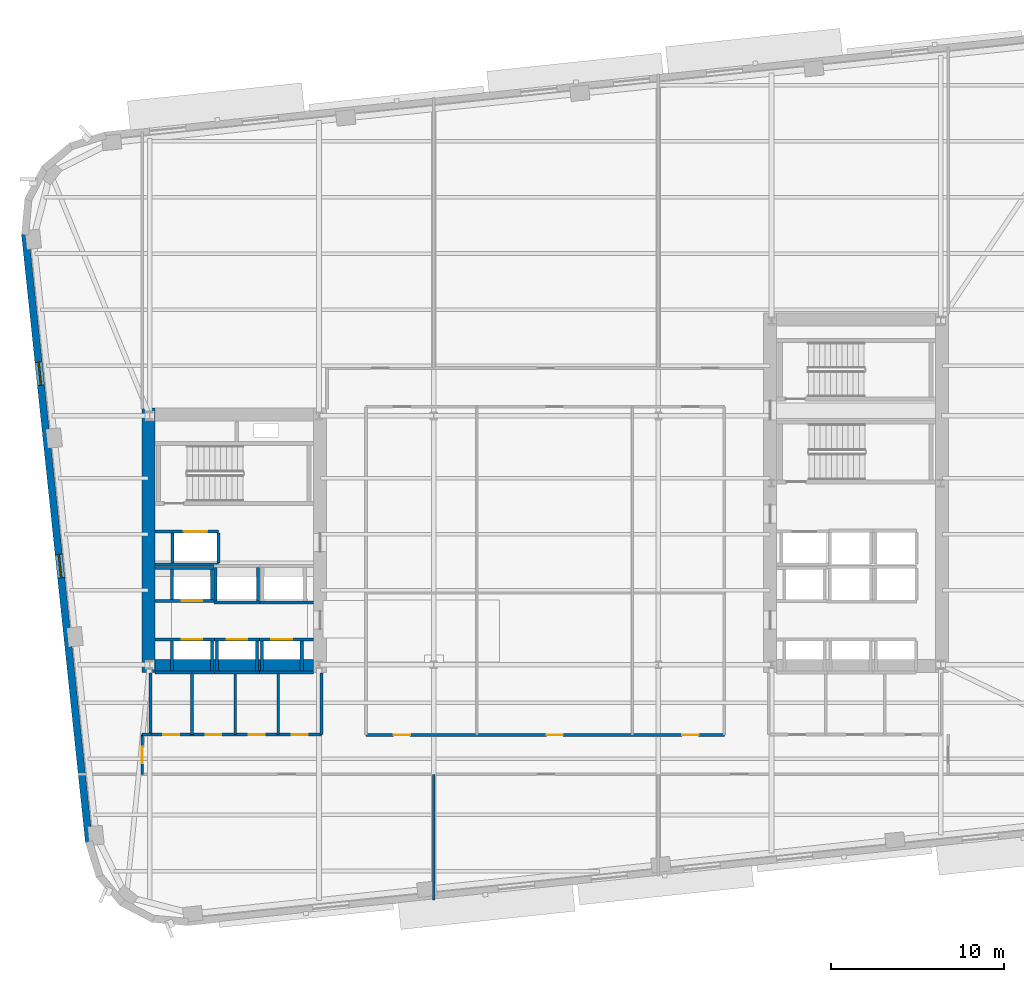
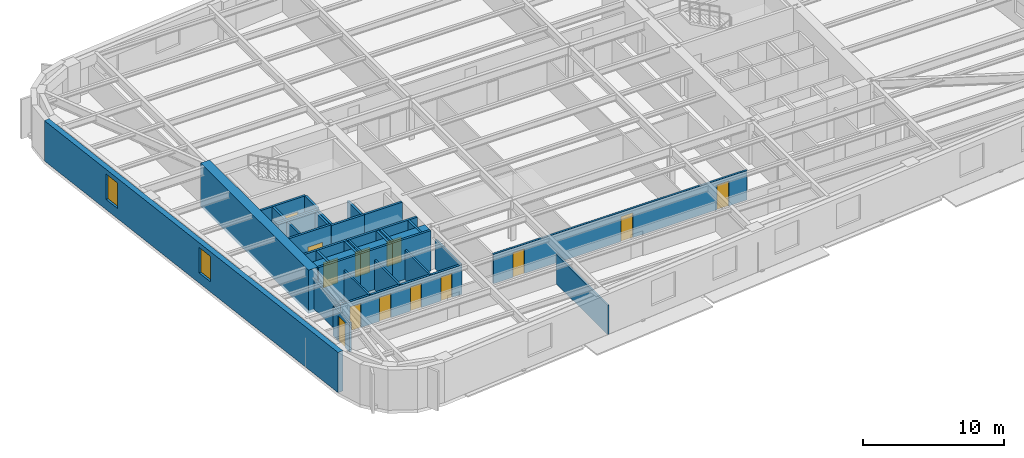
# One storey, part 4 of 14: 37 walls, 13 doors, 2 windows, 15 openings.
"""IFC4 building model written with IfcOpenShell, lengths in metres."""

import ifcopenshell
import ifcopenshell.guid

model = None  # the IFC model being written
_history = None  # IfcOwnerHistory: only IFC2X3 demands one
_inside = {}  # id of a spatial element -> (the spatial element, [elements in it])
_under = {}  # id of a project, library or spatial element -> (it, [spatial elements below it])
_declared = {}  # id of a project -> (the project, [libraries it declares])
_typed = {}  # id of a type object -> (the type object, [elements of that type])
_made_of = {}  # id of a material, layer set ... -> (it, [elements and type objects made of it])


def new_model(schema):
    """Start an empty IFC model of exactly this schema.

    Asked for "IFC4X3", IfcOpenShell would pick the latest addendum, in which some entities
    have other attributes; the version numbers below select the first issue.
    IFC2X3 requires an IfcOwnerHistory on every rooted entity: one is made here for all.
    """
    global model, _history
    if schema == "IFC4X3":
        model = ifcopenshell.file(schema_version=(4, 3, 0, 0))
    else:
        model = ifcopenshell.file(schema=schema)
    _inside.clear()
    _under.clear()
    _declared.clear()
    _typed.clear()
    _made_of.clear()
    _history = None
    if model.schema == "IFC2X3":
        org = make("IfcOrganization", Name="unknown")
        user = make(
            "IfcPersonAndOrganization",
            ThePerson=make("IfcPerson", FamilyName="unknown"),
            TheOrganization=org,
        )
        app = make(
            "IfcApplication",
            ApplicationDeveloper=org,
            Version="unknown",
            ApplicationFullName="unknown",
            ApplicationIdentifier="unknown",
        )
        _history = make(
            "IfcOwnerHistory",
            OwningUser=user,
            OwningApplication=app,
            ChangeAction="ADDED",
            CreationDate=0,
        )
    return model


def make(cls, **values):
    """One entity of the class cls with the attributes given. An attribute that is None is left unset."""
    return model.create_entity(
        cls, **{name: value for name, value in values.items() if value is not None}
    )


def rooted(cls, **values):
    """An entity with a GlobalId (a new one), such as an element, a storey or a relation."""
    return make(cls, GlobalId=ifcopenshell.guid.new(), OwnerHistory=_history, **values)


def si_unit(unit_type, name, prefix=None):
    """IfcSIUnit, for example si_unit("LENGTHUNIT", "METRE", prefix="MILLI")."""
    return make("IfcSIUnit", UnitType=unit_type, Prefix=prefix, Name=name)


def assignment(units):
    """IfcUnitAssignment: the units of a project."""
    return None if units is None else make("IfcUnitAssignment", Units=units)


def point(xyz):
    """IfcCartesianPoint."""
    return None if xyz is None else make("IfcCartesianPoint", Coordinates=xyz)


def direction(xyz):
    """IfcDirection."""
    return None if xyz is None else make("IfcDirection", DirectionRatios=xyz)


def frame(location, z_axis=None, x_axis=None):
    """IfcAxis2Placement3D, a coordinate frame: its origin and axes. An axis left out is left unset."""
    return make(
        "IfcAxis2Placement3D",
        Location=point(location),
        Axis=direction(z_axis),
        RefDirection=direction(x_axis),
    )


def frame_2d(location, x_axis=None):
    """IfcAxis2Placement2D, a coordinate frame in the plane: its origin and x axis."""
    return make(
        "IfcAxis2Placement2D", Location=point(location), RefDirection=direction(x_axis)
    )


def origin():
    """The frame at (0, 0, 0) with its axes left unset."""
    return frame((0.0, 0.0, 0.0))


def place(relative_to, where):
    """IfcLocalPlacement: puts the frame where relative to a parent placement (None: the world)."""
    return make(
        "IfcLocalPlacement", PlacementRelTo=relative_to, RelativePlacement=where
    )


def context(
    kind, dimensions, precision=None, world=None, true_north=None, identifier=None
):
    """IfcGeometricRepresentationContext, for example the 3D "Model" context."""
    return make(
        "IfcGeometricRepresentationContext",
        ContextIdentifier=identifier,
        ContextType=kind,
        CoordinateSpaceDimension=dimensions,
        Precision=precision,
        WorldCoordinateSystem=world,
        TrueNorth=true_north,
    )


def subcontext(parent, identifier, kind, view, scale=None):
    """IfcGeometricRepresentationSubContext, for example "Body" below "Model"."""
    return make(
        "IfcGeometricRepresentationSubContext",
        ContextIdentifier=identifier,
        ContextType=kind,
        ParentContext=parent,
        TargetScale=scale,
        TargetView=view,
    )


def project(units=None, contexts=None):
    """IfcProject with its units and contexts."""
    return rooted(
        "IfcProject",
        Name="project",
        RepresentationContexts=contexts,
        UnitsInContext=assignment(units),
    )


def spatial(cls, under=None, at=None, **own):
    """A site, building, storey or space (cls), placed at a placement, below another one or the project."""
    s = rooted(cls, ObjectPlacement=at, **own)
    if under is not None:
        _under.setdefault(under.id(), (under, []))[1].append(s)
    return s


def profile(cls, at=None, kind="AREA", **sizes):
    """A parametric profile (cls). Its sizes go by their IFC names, for example OverallWidth=200.0."""
    return make(cls, ProfileType=kind, Position=at, **sizes)


def rectangle(**sizes):
    """IfcRectangleProfileDef."""
    return profile("IfcRectangleProfileDef", **sizes)


def extrude(swept, where, along, depth):
    """IfcExtrudedAreaSolid: the profile swept, set in the frame where, extruded along a direction by depth."""
    return make(
        "IfcExtrudedAreaSolid",
        SweptArea=swept,
        Position=where,
        ExtrudedDirection=direction(along),
        Depth=depth,
    )


def shape(context_of_items, identifier, shape_type, items):
    """IfcShapeRepresentation: the items that make up one representation, for example the "Body"."""
    return make(
        "IfcShapeRepresentation",
        ContextOfItems=context_of_items,
        RepresentationIdentifier=identifier,
        RepresentationType=shape_type,
        Items=items,
    )


def material(Name=None, Category=None):
    """IfcMaterial."""
    return make("IfcMaterial", Name=Name, Category=Category)


def layer(
    of_material, thickness, ventilated=None, Name=None, Category=None, Priority=None
):
    """IfcMaterialLayer: one layer of a wall or slab, of a material (None: an air gap)."""
    return make(
        "IfcMaterialLayer",
        Material=of_material,
        LayerThickness=thickness,
        IsVentilated=ventilated,
        Name=Name,
        Category=Category,
        Priority=Priority,
    )


def layer_set(layers, Name=None):
    """IfcMaterialLayerSet."""
    return make("IfcMaterialLayerSet", MaterialLayers=layers, LayerSetName=Name)


def made_of(thing, what):
    """Note that an element or type object is made of a material, layer set ...; save() writes the relation."""
    if what is not None:
        _made_of.setdefault(what.id(), (what, []))[1].append(thing)
    return thing


def type_object(cls, material=None, **own):
    """A type object (cls), such as IfcWallType, which elements share."""
    return made_of(rooted(cls, **own), material)


def element(
    cls,
    number,
    at=None,
    inside=None,
    cuts=None,
    type_object=None,
    material=None,
    context=None,
    identifier="Body",
    shape_type=None,
    held_by="IfcProductDefinitionShape",
    body=None,
    shapes=None,
    **own,
):
    """One element of the class cls, such as IfcWall. Its Tag is "e" and its number.

    at: its placement. inside: the storey or other place that contains it. cuts: it is an
    opening in that element (IfcRelVoidsElement). A single representation is given by context,
    identifier, shape_type and body (its items); several are given by shapes. held_by: the class
    of the entity that holds the representations. save() writes the other relations.
    """
    e = rooted(cls, Tag="e%d" % number, ObjectPlacement=at, **own)
    if body is not None:
        shapes = [shape(context, identifier, shape_type, body)]
    if shapes is not None:
        e.Representation = make(held_by, Representations=shapes)
    if inside is not None:
        _inside.setdefault(inside.id(), (inside, []))[1].append(e)
    if cuts is not None:
        rooted(
            "IfcRelVoidsElement", RelatingBuildingElement=cuts, RelatedOpeningElement=e
        )
    if type_object is not None:
        _typed.setdefault(type_object.id(), (type_object, []))[1].append(e)
    return made_of(e, material)


def fill(opening, filler):
    """IfcRelFillsElement: the door or window that sits in an opening."""
    return rooted(
        "IfcRelFillsElement",
        RelatingOpeningElement=opening,
        RelatedBuildingElement=filler,
    )


def aggregate(whole, parts):
    """IfcRelAggregates: a whole, such as a stair, and the parts it consists of."""
    return rooted("IfcRelAggregates", RelatingObject=whole, RelatedObjects=parts)


def save(model, path):
    """Write the relations noted so far, then the file.

    IfcRelAggregates (storeys below a building ...), IfcRelContainedInSpatialStructure (elements
    in a storey), IfcRelDefinesByType, IfcRelAssociatesMaterial and IfcRelDeclares: one each for
    every whole, place, type object, material and project.
    """
    for whole, parts in _under.values():
        aggregate(whole, parts)
    for where, things in _inside.values():
        rooted(
            "IfcRelContainedInSpatialStructure",
            RelatedElements=things,
            RelatingStructure=where,
        )
    for kind, things in _typed.values():
        rooted("IfcRelDefinesByType", RelatedObjects=things, RelatingType=kind)
    for what, things in _made_of.values():
        rooted("IfcRelAssociatesMaterial", RelatedObjects=things, RelatingMaterial=what)
    for by, libraries in _declared.values():
        rooted("IfcRelDeclares", RelatingContext=by, RelatedDefinitions=libraries)
    model.write(path)


model = new_model("IFC4")

# Units and contexts
model_context = context("Model", 3, precision=1e-05, world=origin(), true_north=direction((0.0, 1.0)))
body_context = subcontext(model_context, "Body", "Model", "MODEL_VIEW")
ifc_project = project(units=[si_unit("LENGTHUNIT", "METRE"), si_unit("AREAUNIT", "SQUARE_METRE"), si_unit("VOLUMEUNIT", "CUBIC_METRE"), si_unit("PLANEANGLEUNIT", "RADIAN"), si_unit("MASSUNIT", "GRAM", prefix="KILO")], contexts=[model_context])

# Site, building, storey
site_placement = place(None, origin())
site = spatial("IfcSite", under=ifc_project, at=site_placement, CompositionType="ELEMENT")
building_placement = place(site_placement, origin())
building = spatial("IfcBuilding", under=site, at=building_placement, Name="Kolvaren Arena Tower", CompositionType="ELEMENT")
storey_placement = place(building_placement, frame((0.0, 0.0, 130.75)))
storey = spatial("IfcBuildingStorey", under=building, at=storey_placement, Name="L30", CompositionType="ELEMENT", Elevation=130.75)

# Wall, openings, doors
ifc_material_1 = material(Name="Gypsum board acoustic assembly", Category="gypsum")
ifc_layer_1 = layer(ifc_material_1, 0.159912109375)
ifc_layer_set_1 = layer_set([ifc_layer_1], Name="Gypsum board acoustic assembly")
wall_type_1 = type_object("IfcWallType", Name="CORR-160", PredefinedType="PARTITIONING", material=ifc_layer_set_1)
wall_1_placement = place(storey_placement, frame((27.080078125, 15.3798828125, 0.0), z_axis=(0.0, 0.0, 1.0), x_axis=(1.0, 0.0, 0.0)))
wall_1 = element("IfcWall", 1, at=wall_1_placement, inside=storey, type_object=wall_type_1, Name="Interior Partition Wall (L30)", PredefinedType="PARTITIONING", context=body_context, shape_type="SweptSolid", body=[
    extrude(rectangle(XDim=20.739990234375, YDim=0.159912109375, at=frame_2d((10.3701171875, 0.0))), origin(), (0.0, 0.0, 1.0), 2.5400390625),
])
opening_1_placement = place(wall_1_placement, frame((1.594970703125, 0.0, 0.0)))
opening_1 = element("IfcOpeningElement", 2, at=opening_1_placement, cuts=wall_1, Name="Opening D05", PredefinedType="OPENING", context=body_context, shape_type="SweptSolid", body=[
    extrude(rectangle(XDim=0.949951171875, YDim=2.14990234375, at=frame_2d((0.47509765625, 1.074951171875))), frame((0.0, 0.08984375, 0.0), z_axis=(0.0, -1.0, 0.0), x_axis=(1.0, 0.0, 0.0)), (0.0, 0.0, 1.0), 0.179931640625),
])
opening_2_placement = place(wall_1_placement, frame((10.445068359375, 0.0, 0.0)))
opening_2 = element("IfcOpeningElement", 3, at=opening_2_placement, cuts=wall_1, Name="Opening D05", PredefinedType="OPENING", context=body_context, shape_type="SweptSolid", body=[
    extrude(rectangle(XDim=0.949951171875, YDim=2.14990234375, at=frame_2d((0.47509765625, 1.074951171875))), frame((0.0, 0.08984375, 0.0), z_axis=(0.0, -1.0, 0.0), x_axis=(1.0, 0.0, 0.0)), (0.0, 0.0, 1.0), 0.179931640625),
])
opening_3_placement = place(wall_1_placement, frame((18.294921875, 0.0, 0.0)))
opening_3 = element("IfcOpeningElement", 4, at=opening_3_placement, cuts=wall_1, Name="Opening D05", PredefinedType="OPENING", context=body_context, shape_type="SweptSolid", body=[
    extrude(rectangle(XDim=0.949951171875, YDim=2.14990234375, at=frame_2d((0.47509765625, 1.074951171875))), frame((0.0, 0.08984375, 0.0), z_axis=(0.0, -1.0, 0.0), x_axis=(1.0, 0.0, 0.0)), (0.0, 0.0, 1.0), 0.179931640625),
])
ifc_material_2 = material(Name="Solid-core oak acoustic office door", Category="wood")
door_type_1 = type_object("IfcDoorType", Name="DOOR-OF-095", OperationType="NOTDEFINED", PredefinedType="DOOR", material=ifc_material_2)
door_1_placement = place(opening_1_placement, origin())
door_1 = element("IfcDoor", 5, at=door_1_placement, inside=storey, type_object=door_type_1, Name="Client Lounge Door (L30)", OperationType="SINGLE_SWING_LEFT", OverallHeight=2.14990234375, OverallWidth=0.949951171875, PredefinedType="DOOR", context=body_context, shape_type="SweptSolid", body=[
    extrude(rectangle(XDim=0.949951171875, YDim=2.14990234375, at=frame_2d((0.47509765625, 1.074951171875))), frame((0.0, 0.02490234375, 0.0), z_axis=(0.0, -1.0, 0.0), x_axis=(1.0, 0.0, 0.0)), (0.0, 0.0, 1.0), 0.050048828125),
])
fill(opening_1, door_1)
door_2_placement = place(opening_2_placement, origin())
door_2 = element("IfcDoor", 6, at=door_2_placement, inside=storey, type_object=door_type_1, Name="Open Plan Office Door (L30)", OperationType="SINGLE_SWING_LEFT", OverallHeight=2.14990234375, OverallWidth=0.949951171875, PredefinedType="DOOR", context=body_context, shape_type="SweptSolid", body=[
    extrude(rectangle(XDim=0.949951171875, YDim=2.14990234375, at=frame_2d((0.47509765625, 1.074951171875))), frame((0.0, 0.02490234375, 0.0), z_axis=(0.0, -1.0, 0.0), x_axis=(1.0, 0.0, 0.0)), (0.0, 0.0, 1.0), 0.050048828125),
])
fill(opening_2, door_2)
door_3_placement = place(opening_3_placement, origin())
door_3 = element("IfcDoor", 7, at=door_3_placement, inside=storey, type_object=door_type_1, Name="Breakout Pantry and Kitchen Door (L30)", OperationType="SINGLE_SWING_LEFT", OverallHeight=2.14990234375, OverallWidth=0.949951171875, PredefinedType="DOOR", context=body_context, shape_type="SweptSolid", body=[
    extrude(rectangle(XDim=0.949951171875, YDim=2.14990234375, at=frame_2d((0.47509765625, 1.074951171875))), frame((0.0, 0.02490234375, 0.0), z_axis=(0.0, -1.0, 0.0), x_axis=(1.0, 0.0, 0.0)), (0.0, 0.0, 1.0), 0.050048828125),
])
fill(opening_3, door_3)

# Wall, opening, door
wall_2_placement = place(storey_placement, frame((14.1201171875, 13.10009765625, 0.0), z_axis=(0.0, 0.0, 1.0), x_axis=(0.0, 1.0, 0.0)))
wall_2 = element("IfcWall", 8, at=wall_2_placement, inside=storey, type_object=wall_type_1, Name="Interior Partition Wall (L30)", PredefinedType="PARTITIONING", context=body_context, shape_type="SweptSolid", body=[
    extrude(rectangle(XDim=2.2998046875, YDim=0.159912109375, at=frame_2d((1.14990234375, 0.0))), origin(), (0.0, 0.0, 1.0), 2.5400390625),
])
opening_4_placement = place(wall_2_placement, frame((0.64990234375, 0.0, 0.0)))
opening_4 = element("IfcOpeningElement", 9, at=opening_4_placement, cuts=wall_2, Name="Opening D05", PredefinedType="OPENING", context=body_context, shape_type="SweptSolid", body=[
    extrude(rectangle(XDim=0.949951171875, YDim=2.14990234375, at=frame_2d((0.47509765625, 1.074951171875))), frame((0.0, 0.08984375, 0.0), z_axis=(0.0, -1.0, 0.0), x_axis=(1.0, 0.0, 0.0)), (0.0, 0.0, 1.0), 0.179931640625),
])
door_4_placement = place(opening_4_placement, origin())
door_4 = element("IfcDoor", 10, at=door_4_placement, inside=storey, type_object=door_type_1, Name="West Wing Office Door (L30)", OperationType="SINGLE_SWING_LEFT", OverallHeight=2.14990234375, OverallWidth=0.949951171875, PredefinedType="DOOR", context=body_context, shape_type="SweptSolid", body=[
    extrude(rectangle(XDim=0.949951171875, YDim=2.14990234375, at=frame_2d((0.47509765625, 1.074951171875))), frame((0.0, 0.02490234375, 0.0), z_axis=(0.0, -1.0, 0.0), x_axis=(1.0, 0.0, 0.0)), (0.0, 0.0, 1.0), 0.050048828125),
])
fill(opening_4, door_4)

# Walls
wall_3_placement = place(storey_placement, frame((14.1201171875, 15.39990234375, 0.0), z_axis=(0.0, 0.0, 1.0), x_axis=(1.0, 0.0, 0.0)))
element("IfcWall", 11, at=wall_3_placement, inside=storey, type_object=wall_type_1, Name="Interior Partition Wall (L30)", PredefinedType="PARTITIONING", context=body_context, shape_type="SweptSolid", body=[
    extrude(rectangle(XDim=0.5, YDim=0.159912109375, at=frame_2d((0.25, 0.0))), origin(), (0.0, 0.0, 1.0), 2.5400390625),
])
ifc_material_3 = material(Name="Concrete 70 MPa", Category="concrete")
ifc_layer_2 = layer(ifc_material_3, 0.75)
ifc_layer_set_2 = layer_set([ifc_layer_2], Name="Concrete 70 MPa")
wall_type_2 = type_object("IfcWallType", Name="CWALL-750", PredefinedType="SHEAR", material=ifc_layer_set_2)
wall_4_placement = place(storey_placement, frame((14.47509765625, 19.0, -0.27001953125), z_axis=(0.0, 0.0, 1.0), x_axis=(0.0, 1.0, 0.0)))
element("IfcWall", 12, at=wall_4_placement, inside=storey, type_object=wall_type_2, Name="Core Shear Wall WC-WEST (L30)", PredefinedType="SHEAR", context=body_context, shape_type="SweptSolid", body=[
    extrude(rectangle(XDim=15.300048828125, YDim=0.75, at=frame_2d((7.64990234375, 0.0))), origin(), (0.0, 0.0, 1.0), 3.75),
])
wall_5_placement = place(storey_placement, frame((14.85009765625, 19.375, -0.27001953125), z_axis=(0.0, 0.0, 1.0), x_axis=(1.0, 0.0, 0.0)))
element("IfcWall", 13, at=wall_5_placement, inside=storey, type_object=wall_type_2, Name="Core Shear Wall WC-SOUTH (L30)", PredefinedType="SHEAR", context=body_context, shape_type="SweptSolid", body=[
    extrude(rectangle(XDim=9.199951171875, YDim=0.75, at=frame_2d((4.60009765625, 0.0))), origin(), (0.0, 0.0, 1.0), 3.75),
])

# Wall, openings, windows
ifc_material_4 = material(Name="Precast concrete C50/60", Category="concrete")
ifc_layer_3 = layer(ifc_material_4, 0.419921875)
ifc_layer_set_3 = layer_set([ifc_layer_3], Name="Precast concrete C50/60")
wall_type_3 = type_object("IfcWallType", Name="EXT-PIER1", PredefinedType="SOLIDWALL", material=ifc_layer_set_3)
wall_6_placement = place(storey_placement, frame((11.039794921875, 9.16943359375, 0.0), z_axis=(0.0, 0.0, 1.0), x_axis=(-0.104532207177, 0.99452150186, 0.0)))
wall_6 = element("IfcWall", 14, at=wall_6_placement, inside=storey, type_object=wall_type_3, Name="Exterior Precast Masonry-Frame Wall (L30)", PredefinedType="SOLIDWALL", context=body_context, shape_type="SweptSolid", body=[
    extrude(rectangle(XDim=35.39990234375, YDim=0.419921875, at=frame_2d((17.699951171875, 0.0))), origin(), (0.0, 0.0, 1.0), 3.47998046875),
])
opening_5_placement = place(wall_6_placement, frame((15.39990234375, 0.0, 0.8798828125)))
opening_5 = element("IfcOpeningElement", 15, at=opening_5_placement, cuts=wall_6, Name="Opening W04", PredefinedType="OPENING", context=body_context, shape_type="SweptSolid", body=[
    extrude(rectangle(XDim=1.35009765625, YDim=2.199951171875, at=frame_2d((0.675048828125, 1.10009765625))), frame((0.0, 0.219970703125, 0.0), z_axis=(0.0, -1.0, 0.0), x_axis=(1.0, 0.0, 0.0)), (0.0, 0.0, 1.0), 0.43994140625),
])
opening_6_placement = place(wall_6_placement, frame((26.60009765625, 0.0, 0.8798828125)))
opening_6 = element("IfcOpeningElement", 16, at=opening_6_placement, cuts=wall_6, Name="Opening W04", PredefinedType="OPENING", context=body_context, shape_type="SweptSolid", body=[
    extrude(rectangle(XDim=1.35009765625, YDim=2.199951171875, at=frame_2d((0.675048828125, 1.10009765625))), frame((0.0, 0.219970703125, 0.0), z_axis=(0.0, -1.0, 0.0), x_axis=(1.0, 0.0, 0.0)), (0.0, 0.0, 1.0), 0.43994140625),
])
ifc_material_5 = material(Name="Triple-glazed curved-facet corner window", Category="glass")
window_type = type_object("IfcWindowType", Name="WIN-CRN-A", PartitioningType="SINGLE_PANEL", PredefinedType="WINDOW", material=ifc_material_5)
window_1_placement = place(opening_5_placement, origin())
window_1 = element("IfcWindow", 17, at=window_1_placement, inside=storey, type_object=window_type, Name="End-Wall Punched Window (L30)", OverallHeight=2.199951171875, OverallWidth=1.35009765625, PartitioningType="SINGLE_PANEL", PredefinedType="WINDOW", context=body_context, shape_type="SweptSolid", body=[
    extrude(rectangle(XDim=1.35009765625, YDim=2.199951171875, at=frame_2d((0.675048828125, 1.10009765625))), frame((0.0, 0.030029296875, 0.0), z_axis=(0.0, -1.0, 0.0), x_axis=(1.0, 0.0, 0.0)), (0.0, 0.0, 1.0), 0.06005859375),
])
fill(opening_5, window_1)
window_2_placement = place(opening_6_placement, origin())
window_2 = element("IfcWindow", 18, at=window_2_placement, inside=storey, type_object=window_type, Name="End-Wall Punched Window (L30)", OverallHeight=2.199951171875, OverallWidth=1.35009765625, PartitioningType="SINGLE_PANEL", PredefinedType="WINDOW", context=body_context, shape_type="SweptSolid", body=[
    extrude(rectangle(XDim=1.35009765625, YDim=2.199951171875, at=frame_2d((0.675048828125, 1.10009765625))), frame((0.0, 0.030029296875, 0.0), z_axis=(0.0, -1.0, 0.0), x_axis=(1.0, 0.0, 0.0)), (0.0, 0.0, 1.0), 0.06005859375),
])
fill(opening_6, window_2)

# Wall
ifc_material_6 = material(Name="Gypsum board partition assembly", Category="gypsum")
ifc_layer_4 = layer(ifc_material_6, 0.135009765625)
ifc_layer_set_4 = layer_set([ifc_layer_4], Name="Gypsum board partition assembly")
wall_type_4 = type_object("IfcWallType", Name="PART-135", PredefinedType="PARTITIONING", material=ifc_layer_set_4)
wall_7_placement = place(storey_placement, frame((31.0, 5.837646484375, 0.0), z_axis=(0.0, 0.0, 1.0), x_axis=(0.0, 1.0, 0.0)))
element("IfcWall", 19, at=wall_7_placement, inside=storey, type_object=wall_type_4, Name="Interior Partition Wall (L30)", PredefinedType="PARTITIONING", context=body_context, shape_type="SweptSolid", body=[
    extrude(rectangle(XDim=7.262451171875, YDim=0.135009765625, at=frame_2d((3.63134765625, 0.0))), origin(), (0.0, 0.0, 1.0), 2.5400390625),
])

# Wall, opening, door
ifc_material_7 = material(Name="Concrete 45 MPa", Category="concrete")
ifc_layer_5 = layer(ifc_material_7, 0.25)
ifc_layer_set_5 = layer_set([ifc_layer_5], Name="Concrete 45 MPa")
wall_type_5 = type_object("IfcWallType", Name="SHAFT-250", PredefinedType="SOLIDWALL", material=ifc_layer_set_5)
wall_8_placement = place(storey_placement, frame((14.85009765625, 20.905029296875, 0.0), z_axis=(0.0, 0.0, 1.0), x_axis=(1.0, 0.0, 0.0)))
wall_8 = element("IfcWall", 20, at=wall_8_placement, inside=storey, type_object=wall_type_5, Name="Core Shaft Wall (L30)", PredefinedType="SOLIDWALL", context=body_context, shape_type="SweptSolid", body=[
    extrude(rectangle(XDim=3.449951171875, YDim=0.179931640625, at=frame_2d((1.72509765625, 0.0))), origin(), (0.0, 0.0, 1.0), 3.47998046875),
])
opening_7_placement = place(wall_8_placement, frame((1.550048828125, 0.0, 0.0)))
opening_7 = element("IfcOpeningElement", 21, at=opening_7_placement, cuts=wall_8, Name="Opening LD1", PredefinedType="OPENING", context=body_context, shape_type="SweptSolid", body=[
    extrude(rectangle(XDim=1.199951171875, YDim=2.199951171875, at=frame_2d((0.60009765625, 1.10009765625))), frame((0.0, 0.099853515625, 0.0), z_axis=(0.0, -1.0, 0.0), x_axis=(1.0, 0.0, 0.0)), (0.0, 0.0, 1.0), 0.199951171875),
])
ifc_material_8 = material(Name="Stainless steel passenger lift landing door", Category="steel")
door_type_2 = type_object("IfcDoorType", Name="DOOR-LD-120", OperationType="DOUBLE_DOOR_SLIDING", PredefinedType="DOOR", material=ifc_material_8)
door_5_placement = place(opening_7_placement, origin())
door_5 = element("IfcDoor", 22, at=door_5_placement, inside=storey, type_object=door_type_2, Name="Lift EL-MR1 Landing Door (L30)", OperationType="DOUBLE_DOOR_SLIDING", OverallHeight=2.199951171875, OverallWidth=1.199951171875, PredefinedType="DOOR", context=body_context, shape_type="SweptSolid", body=[
    extrude(rectangle(XDim=1.199951171875, YDim=2.199951171875, at=frame_2d((0.60009765625, 1.10009765625))), frame((0.0, 0.02490234375, 0.0), z_axis=(0.0, -1.0, 0.0), x_axis=(1.0, 0.0, 0.0)), (0.0, 0.0, 1.0), 0.050048828125),
])
fill(opening_7, door_5)

# Walls
wall_9_placement = place(storey_placement, frame((14.85009765625, 18.9951171875, 0.0), z_axis=(0.0, 0.0, 1.0), x_axis=(1.0, 0.0, 0.0)))
element("IfcWall", 23, at=wall_9_placement, inside=storey, type_object=wall_type_5, Name="Core Shaft Wall (L30)", PredefinedType="SOLIDWALL", context=body_context, shape_type="SweptSolid", body=[
    extrude(rectangle(XDim=3.449951171875, YDim=0.179931640625, at=frame_2d((1.72509765625, 0.0))), origin(), (0.0, 0.0, 1.0), 3.47998046875),
])
for number, where, z_axis, x_axis, name in (
    (24, (15.844970703125, 19.0849609375, 0.0), (0.0, 0.0, 1.0), (0.0, 1.0, 0.0), "Core Shaft Wall (L30)"),
    (25, (18.155029296875, 19.0849609375, 0.0), (0.0, 0.0, 1.0), (0.0, 1.0, 0.0), "Core Shaft Wall (L30)"),
):
    element("IfcWall", number, at=place(storey_placement, frame(where, z_axis=z_axis, x_axis=x_axis)), inside=storey, type_object=wall_type_5, Name=name, PredefinedType="SOLIDWALL", context=body_context, shape_type="SweptSolid", body=[
        extrude(rectangle(XDim=1.72998046875, YDim=0.179931640625, at=frame_2d((0.864990234375, 0.0))), origin(), (0.0, 0.0, 1.0), 3.47998046875),
    ])

# Wall, opening, door
wall_10_placement = place(storey_placement, frame((18.300048828125, 20.905029296875, 0.0), z_axis=(0.0, 0.0, 1.0), x_axis=(1.0, 0.0, 0.0)))
wall_10 = element("IfcWall", 26, at=wall_10_placement, inside=storey, type_object=wall_type_5, Name="Core Shaft Wall (L30)", PredefinedType="SOLIDWALL", context=body_context, shape_type="SweptSolid", body=[
    extrude(rectangle(XDim=2.599853515625, YDim=0.179931640625, at=frame_2d((1.2998046875, 0.0))), origin(), (0.0, 0.0, 1.0), 3.47998046875),
])
opening_8_placement = place(wall_10_placement, frame((0.699951171875, 0.0, 0.0)))
opening_8 = element("IfcOpeningElement", 27, at=opening_8_placement, cuts=wall_10, Name="Opening LD1", PredefinedType="OPENING", context=body_context, shape_type="SweptSolid", body=[
    extrude(rectangle(XDim=1.199951171875, YDim=2.199951171875, at=frame_2d((0.60009765625, 1.10009765625))), frame((0.0, 0.099853515625, 0.0), z_axis=(0.0, -1.0, 0.0), x_axis=(1.0, 0.0, 0.0)), (0.0, 0.0, 1.0), 0.199951171875),
])
door_6_placement = place(opening_8_placement, origin())
door_6 = element("IfcDoor", 28, at=door_6_placement, inside=storey, type_object=door_type_2, Name="Lift EL-MR2 Landing Door (L30)", OperationType="DOUBLE_DOOR_SLIDING", OverallHeight=2.199951171875, OverallWidth=1.199951171875, PredefinedType="DOOR", context=body_context, shape_type="SweptSolid", body=[
    extrude(rectangle(XDim=1.199951171875, YDim=2.199951171875, at=frame_2d((0.60009765625, 1.10009765625))), frame((0.0, 0.02490234375, 0.0), z_axis=(0.0, -1.0, 0.0), x_axis=(1.0, 0.0, 0.0)), (0.0, 0.0, 1.0), 0.050048828125),
])
fill(opening_8, door_6)

# Walls
wall_11_placement = place(storey_placement, frame((18.300048828125, 18.9951171875, 0.0), z_axis=(0.0, 0.0, 1.0), x_axis=(1.0, 0.0, 0.0)))
element("IfcWall", 29, at=wall_11_placement, inside=storey, type_object=wall_type_5, Name="Core Shaft Wall (L30)", PredefinedType="SOLIDWALL", context=body_context, shape_type="SweptSolid", body=[
    extrude(rectangle(XDim=2.599853515625, YDim=0.179931640625, at=frame_2d((1.2998046875, 0.0))), origin(), (0.0, 0.0, 1.0), 3.47998046875),
])
for number, where, z_axis, x_axis, name in (
    (30, (18.445068359375, 19.0849609375, 0.0), (0.0, 0.0, 1.0), (0.0, 1.0, 0.0), "Core Shaft Wall (L30)"),
    (31, (20.7548828125, 19.0849609375, 0.0), (0.0, 0.0, 1.0), (0.0, 1.0, 0.0), "Core Shaft Wall (L30)"),
):
    element("IfcWall", number, at=place(storey_placement, frame(where, z_axis=z_axis, x_axis=x_axis)), inside=storey, type_object=wall_type_5, Name=name, PredefinedType="SOLIDWALL", context=body_context, shape_type="SweptSolid", body=[
        extrude(rectangle(XDim=1.72998046875, YDim=0.179931640625, at=frame_2d((0.864990234375, 0.0))), origin(), (0.0, 0.0, 1.0), 3.47998046875),
    ])

# Wall, opening, door
wall_12_placement = place(storey_placement, frame((20.89990234375, 20.905029296875, 0.0), z_axis=(0.0, 0.0, 1.0), x_axis=(1.0, 0.0, 0.0)))
wall_12 = element("IfcWall", 32, at=wall_12_placement, inside=storey, type_object=wall_type_5, Name="Core Shaft Wall (L30)", PredefinedType="SOLIDWALL", context=body_context, shape_type="SweptSolid", body=[
    extrude(rectangle(XDim=3.150146484375, YDim=0.179931640625, at=frame_2d((1.5751953125, 0.0))), origin(), (0.0, 0.0, 1.0), 3.47998046875),
])
opening_9_placement = place(wall_12_placement, frame((0.699951171875, 0.0, 0.0)))
opening_9 = element("IfcOpeningElement", 33, at=opening_9_placement, cuts=wall_12, Name="Opening LD1", PredefinedType="OPENING", context=body_context, shape_type="SweptSolid", body=[
    extrude(rectangle(XDim=1.199951171875, YDim=2.199951171875, at=frame_2d((0.60009765625, 1.10009765625))), frame((0.0, 0.099853515625, 0.0), z_axis=(0.0, -1.0, 0.0), x_axis=(1.0, 0.0, 0.0)), (0.0, 0.0, 1.0), 0.199951171875),
])
door_7_placement = place(opening_9_placement, origin())
door_7 = element("IfcDoor", 34, at=door_7_placement, inside=storey, type_object=door_type_2, Name="Lift EL-MR3 Landing Door (L30)", OperationType="DOUBLE_DOOR_SLIDING", OverallHeight=2.199951171875, OverallWidth=1.199951171875, PredefinedType="DOOR", context=body_context, shape_type="SweptSolid", body=[
    extrude(rectangle(XDim=1.199951171875, YDim=2.199951171875, at=frame_2d((0.60009765625, 1.10009765625))), frame((0.0, 0.02490234375, 0.0), z_axis=(0.0, -1.0, 0.0), x_axis=(1.0, 0.0, 0.0)), (0.0, 0.0, 1.0), 0.050048828125),
])
fill(opening_9, door_7)

# Walls
wall_13_placement = place(storey_placement, frame((20.89990234375, 18.9951171875, 0.0), z_axis=(0.0, 0.0, 1.0), x_axis=(1.0, 0.0, 0.0)))
element("IfcWall", 35, at=wall_13_placement, inside=storey, type_object=wall_type_5, Name="Core Shaft Wall (L30)", PredefinedType="SOLIDWALL", context=body_context, shape_type="SweptSolid", body=[
    extrude(rectangle(XDim=3.150146484375, YDim=0.179931640625, at=frame_2d((1.5751953125, 0.0))), origin(), (0.0, 0.0, 1.0), 3.47998046875),
])
for number, where, z_axis, x_axis, name in (
    (36, (21.044921875, 19.0849609375, 0.0), (0.0, 0.0, 1.0), (0.0, 1.0, 0.0), "Core Shaft Wall (L30)"),
    (37, (23.35498046875, 19.0849609375, 0.0), (0.0, 0.0, 1.0), (0.0, 1.0, 0.0), "Core Shaft Wall (L30)"),
):
    element("IfcWall", number, at=place(storey_placement, frame(where, z_axis=z_axis, x_axis=x_axis)), inside=storey, type_object=wall_type_5, Name=name, PredefinedType="SOLIDWALL", context=body_context, shape_type="SweptSolid", body=[
        extrude(rectangle(XDim=1.72998046875, YDim=0.179931640625, at=frame_2d((0.864990234375, 0.0))), origin(), (0.0, 0.0, 1.0), 3.47998046875),
    ])
wall_14_placement = place(storey_placement, frame((14.85009765625, 25.054931640625, 0.0), z_axis=(0.0, 0.0, 1.0), x_axis=(1.0, 0.0, 0.0)))
element("IfcWall", 38, at=wall_14_placement, inside=storey, type_object=wall_type_5, Name="Core Shaft Wall (L30)", PredefinedType="SOLIDWALL", context=body_context, shape_type="SweptSolid", body=[
    extrude(rectangle(XDim=3.412353515625, YDim=0.179931640625, at=frame_2d((1.7060546875, 0.0))), origin(), (0.0, 0.0, 1.0), 3.47998046875),
])

# Wall, opening, door
wall_15_placement = place(storey_placement, frame((14.85009765625, 23.14501953125, 0.0), z_axis=(0.0, 0.0, 1.0), x_axis=(1.0, 0.0, 0.0)))
wall_15 = element("IfcWall", 39, at=wall_15_placement, inside=storey, type_object=wall_type_5, Name="Core Shaft Wall (L30)", PredefinedType="SOLIDWALL", context=body_context, shape_type="SweptSolid", body=[
    extrude(rectangle(XDim=3.412353515625, YDim=0.179931640625, at=frame_2d((1.7060546875, 0.0))), origin(), (0.0, 0.0, 1.0), 3.47998046875),
])
opening_10_placement = place(wall_15_placement, frame((1.550048828125, 0.0, 0.0)))
opening_10 = element("IfcOpeningElement", 40, at=opening_10_placement, cuts=wall_15, Name="Opening LD1", PredefinedType="OPENING", context=body_context, shape_type="SweptSolid", body=[
    extrude(rectangle(XDim=1.199951171875, YDim=2.199951171875, at=frame_2d((0.60009765625, 1.10009765625))), frame((0.0, 0.099853515625, 0.0), z_axis=(0.0, -1.0, 0.0), x_axis=(1.0, 0.0, 0.0)), (0.0, 0.0, 1.0), 0.199951171875),
])
door_8_placement = place(opening_10_placement, origin())
door_8 = element("IfcDoor", 41, at=door_8_placement, inside=storey, type_object=door_type_2, Name="Lift EL-MR4 Landing Door (L30)", OperationType="DOUBLE_DOOR_SLIDING", OverallHeight=2.199951171875, OverallWidth=1.199951171875, PredefinedType="DOOR", context=body_context, shape_type="SweptSolid", body=[
    extrude(rectangle(XDim=1.199951171875, YDim=2.199951171875, at=frame_2d((0.60009765625, 1.10009765625))), frame((0.0, 0.02490234375, 0.0), z_axis=(0.0, -1.0, 0.0), x_axis=(1.0, 0.0, 0.0)), (0.0, 0.0, 1.0), 0.050048828125),
])
fill(opening_10, door_8)

# Walls
for number, where, z_axis, x_axis, name in (
    (42, (15.844970703125, 23.235107421875, 0.0), (0.0, 0.0, 1.0), (0.0, 1.0, 0.0), "Core Shaft Wall (L30)"),
    (43, (18.155029296875, 23.235107421875, 0.0), (0.0, 0.0, 1.0), (0.0, 1.0, 0.0), "Core Shaft Wall (L30)"),
):
    element("IfcWall", number, at=place(storey_placement, frame(where, z_axis=z_axis, x_axis=x_axis)), inside=storey, type_object=wall_type_5, Name=name, PredefinedType="SOLIDWALL", context=body_context, shape_type="SweptSolid", body=[
        extrude(rectangle(XDim=1.72998046875, YDim=0.179931640625, at=frame_2d((0.864990234375, 0.0))), origin(), (0.0, 0.0, 1.0), 3.47998046875),
    ])
wall_16_placement = place(storey_placement, frame((18.262451171875, 23.044921875, 0.0), z_axis=(0.0, 0.0, 1.0), x_axis=(1.0, 0.0, 0.0)))
element("IfcWall", 44, at=wall_16_placement, inside=storey, type_object=wall_type_5, Name="Core Shaft Wall (L30)", PredefinedType="SOLIDWALL", context=body_context, shape_type="SweptSolid", body=[
    extrude(rectangle(XDim=2.6875, YDim=0.179931640625, at=frame_2d((1.34375, 0.0))), origin(), (0.0, 0.0, 1.0), 3.47998046875),
])
for number, where, z_axis, x_axis, name in (
    (45, (18.3701171875, 23.135009765625, 0.0), (0.0, 0.0, 1.0), (0.0, 1.0, 0.0), "Core Shaft Wall (L30)"),
    (46, (20.830078125, 23.135009765625, 0.0), (0.0, 0.0, 1.0), (0.0, 1.0, 0.0), "Core Shaft Wall (L30)"),
):
    element("IfcWall", number, at=place(storey_placement, frame(where, z_axis=z_axis, x_axis=x_axis)), inside=storey, type_object=wall_type_5, Name=name, PredefinedType="SOLIDWALL", context=body_context, shape_type="SweptSolid", body=[
        extrude(rectangle(XDim=1.929931640625, YDim=0.179931640625, at=frame_2d((0.96484375, 0.0))), origin(), (0.0, 0.0, 1.0), 3.47998046875),
    ])
wall_17_placement = place(storey_placement, frame((20.949951171875, 23.044921875, 0.0), z_axis=(0.0, 0.0, 1.0), x_axis=(1.0, 0.0, 0.0)))
element("IfcWall", 47, at=wall_17_placement, inside=storey, type_object=wall_type_5, Name="Core Shaft Wall (L30)", PredefinedType="SOLIDWALL", context=body_context, shape_type="SweptSolid", body=[
    extrude(rectangle(XDim=3.10009765625, YDim=0.179931640625, at=frame_2d((1.550048828125, 0.0))), origin(), (0.0, 0.0, 1.0), 3.47998046875),
])

# Wall, opening, door
wall_18_placement = place(storey_placement, frame((14.85009765625, 27.155029296875, 0.0), z_axis=(0.0, 0.0, 1.0), x_axis=(1.0, 0.0, 0.0)))
wall_18 = element("IfcWall", 48, at=wall_18_placement, inside=storey, type_object=wall_type_5, Name="Core Shaft Wall (L30)", PredefinedType="SOLIDWALL", context=body_context, shape_type="SweptSolid", body=[
    extrude(rectangle(XDim=3.679931640625, YDim=0.179931640625, at=frame_2d((1.83984375, 0.0))), origin(), (0.0, 0.0, 1.0), 3.47998046875),
])
opening_11_placement = place(wall_18_placement, frame((1.675048828125, 0.0, 0.0)))
opening_11 = element("IfcOpeningElement", 49, at=opening_11_placement, cuts=wall_18, Name="Opening LD2", PredefinedType="OPENING", context=body_context, shape_type="SweptSolid", body=[
    extrude(rectangle(XDim=1.35009765625, YDim=2.300048828125, at=frame_2d((0.675048828125, 1.14990234375))), frame((0.0, 0.099853515625, 0.0), z_axis=(0.0, -1.0, 0.0), x_axis=(1.0, 0.0, 0.0)), (0.0, 0.0, 1.0), 0.199951171875),
])
ifc_material_9 = material(Name="Stainless steel firefighter lift landing door", Category="steel")
door_type_3 = type_object("IfcDoorType", Name="DOOR-LD-135", OperationType="DOUBLE_DOOR_SLIDING", PredefinedType="DOOR", material=ifc_material_9)
door_9_placement = place(opening_11_placement, origin())
door_9 = element("IfcDoor", 50, at=door_9_placement, inside=storey, type_object=door_type_3, Name="Firefighter Lift FF-W1 Landing Door (L30)", OperationType="DOUBLE_DOOR_SLIDING", OverallHeight=2.300048828125, OverallWidth=1.35009765625, PredefinedType="DOOR", context=body_context, shape_type="SweptSolid", body=[
    extrude(rectangle(XDim=1.35009765625, YDim=2.300048828125, at=frame_2d((0.675048828125, 1.14990234375))), frame((0.0, 0.02490234375, 0.0), z_axis=(0.0, -1.0, 0.0), x_axis=(1.0, 0.0, 0.0)), (0.0, 0.0, 1.0), 0.050048828125),
])
fill(opening_11, door_9)

# Walls
wall_19_placement = place(storey_placement, frame((14.85009765625, 25.2451171875, 0.0), z_axis=(0.0, 0.0, 1.0), x_axis=(1.0, 0.0, 0.0)))
element("IfcWall", 51, at=wall_19_placement, inside=storey, type_object=wall_type_5, Name="Core Shaft Wall (L30)", PredefinedType="SOLIDWALL", context=body_context, shape_type="SweptSolid", body=[
    extrude(rectangle(XDim=3.679931640625, YDim=0.179931640625, at=frame_2d((1.83984375, 0.0))), origin(), (0.0, 0.0, 1.0), 3.47998046875),
])
for number, where, z_axis, x_axis, name in (
    (52, (15.8701171875, 25.3349609375, 0.0), (0.0, 0.0, 1.0), (0.0, 1.0, 0.0), "Core Shaft Wall (L30)"),
    (53, (18.530029296875, 25.3349609375, 0.0), (0.0, 0.0, 1.0), (0.0, 1.0, 0.0), "Core Shaft Wall (L30)"),
):
    element("IfcWall", number, at=place(storey_placement, frame(where, z_axis=z_axis, x_axis=x_axis)), inside=storey, type_object=wall_type_5, Name=name, PredefinedType="SOLIDWALL", context=body_context, shape_type="SweptSolid", body=[
        extrude(rectangle(XDim=1.72998046875, YDim=0.179931640625, at=frame_2d((0.864990234375, 0.0))), origin(), (0.0, 0.0, 1.0), 3.47998046875),
    ])
ifc_material_10 = material(Name="Moisture-resistant gypsum assembly", Category="gypsum")
ifc_layer_6 = layer(ifc_material_10, 0.14990234375)
ifc_layer_set_6 = layer_set([ifc_layer_6], Name="Moisture-resistant gypsum assembly")
wall_type_6 = type_object("IfcWallType", Name="WETW-150", PredefinedType="PARTITIONING", material=ifc_layer_set_6)
for number, where, z_axis, x_axis, name in (
    (54, (17.0, 15.39990234375, 0.0), (0.0, 0.0, 1.0), (0.0, 1.0, 0.0), "Interior Partition Wall (L30)"),
    (55, (19.5, 15.39990234375, 0.0), (0.0, 0.0, 1.0), (0.0, 1.0, 0.0), "Interior Partition Wall (L30)"),
    (56, (22.0, 15.39990234375, 0.0), (0.0, 0.0, 1.0), (0.0, 1.0, 0.0), "Interior Partition Wall (L30)"),
):
    element("IfcWall", number, at=place(storey_placement, frame(where, z_axis=z_axis, x_axis=x_axis)), inside=storey, type_object=wall_type_6, Name=name, PredefinedType="PARTITIONING", context=body_context, shape_type="SweptSolid", body=[
        extrude(rectangle(XDim=3.580078125, YDim=0.14990234375, at=frame_2d((1.7900390625, 0.0))), origin(), (0.0, 0.0, 1.0), 2.5400390625),
    ])

# Wall, openings, doors
wall_20_placement = place(storey_placement, frame((14.60009765625, 15.39990234375, 0.0), z_axis=(0.0, 0.0, 1.0), x_axis=(1.0, 0.0, 0.0)))
wall_20 = element("IfcWall", 57, at=wall_20_placement, inside=storey, type_object=wall_type_6, Name="Interior Partition Wall (L30)", PredefinedType="PARTITIONING", context=body_context, shape_type="SweptSolid", body=[
    extrude(rectangle(XDim=9.89990234375, YDim=0.179931640625, at=frame_2d((4.949951171875, 0.0))), origin(), (0.0, 0.0, 1.0), 2.5400390625),
])
opening_12_placement = place(wall_20_placement, frame((0.739990234375, 0.0, 0.0)))
opening_12 = element("IfcOpeningElement", 58, at=opening_12_placement, cuts=wall_20, Name="Opening D07", PredefinedType="OPENING", context=body_context, shape_type="SweptSolid", body=[
    extrude(rectangle(XDim=0.919921875, YDim=2.10009765625, at=frame_2d((0.4599609375, 1.050048828125))), frame((0.0, 0.099853515625, 0.0), z_axis=(0.0, -1.0, 0.0), x_axis=(1.0, 0.0, 0.0)), (0.0, 0.0, 1.0), 0.199951171875),
])
opening_13_placement = place(wall_20_placement, frame((3.18994140625, 0.0, 0.0)))
opening_13 = element("IfcOpeningElement", 59, at=opening_13_placement, cuts=wall_20, Name="Opening D07", PredefinedType="OPENING", context=body_context, shape_type="SweptSolid", body=[
    extrude(rectangle(XDim=0.919921875, YDim=2.10009765625, at=frame_2d((0.4599609375, 1.050048828125))), frame((0.0, 0.099853515625, 0.0), z_axis=(0.0, -1.0, 0.0), x_axis=(1.0, 0.0, 0.0)), (0.0, 0.0, 1.0), 0.199951171875),
])
opening_14_placement = place(wall_20_placement, frame((5.68994140625, 0.0, 0.0)))
opening_14 = element("IfcOpeningElement", 60, at=opening_14_placement, cuts=wall_20, Name="Opening D07", PredefinedType="OPENING", context=body_context, shape_type="SweptSolid", body=[
    extrude(rectangle(XDim=0.919921875, YDim=2.10009765625, at=frame_2d((0.4599609375, 1.050048828125))), frame((0.0, 0.099853515625, 0.0), z_axis=(0.0, -1.0, 0.0), x_axis=(1.0, 0.0, 0.0)), (0.0, 0.0, 1.0), 0.199951171875),
])
opening_15_placement = place(wall_20_placement, frame((8.18994140625, 0.0, 0.0)))
opening_15 = element("IfcOpeningElement", 61, at=opening_15_placement, cuts=wall_20, Name="Opening D07", PredefinedType="OPENING", context=body_context, shape_type="SweptSolid", body=[
    extrude(rectangle(XDim=0.919921875, YDim=2.10009765625, at=frame_2d((0.4599609375, 1.050048828125))), frame((0.0, 0.099853515625, 0.0), z_axis=(0.0, -1.0, 0.0), x_axis=(1.0, 0.0, 0.0)), (0.0, 0.0, 1.0), 0.199951171875),
])
ifc_material_11 = material(Name="Laminate universal washroom door", Category="wood")
door_type_4 = type_object("IfcDoorType", Name="DOOR-WC-092", OperationType="NOTDEFINED", PredefinedType="DOOR", material=ifc_material_11)
door_10_placement = place(opening_12_placement, origin())
door_10 = element("IfcDoor", 62, at=door_10_placement, inside=storey, type_object=door_type_4, Name="Cleaner and Janitor Store Door (L30)", OperationType="SINGLE_SWING_RIGHT", OverallHeight=2.10009765625, OverallWidth=0.919921875, PredefinedType="DOOR", context=body_context, shape_type="SweptSolid", body=[
    extrude(rectangle(XDim=0.919921875, YDim=2.10009765625, at=frame_2d((0.4599609375, 1.050048828125))), frame((0.0, 0.02490234375, 0.0), z_axis=(0.0, -1.0, 0.0), x_axis=(1.0, 0.0, 0.0)), (0.0, 0.0, 1.0), 0.050048828125),
])
fill(opening_12, door_10)
door_11_placement = place(opening_13_placement, origin())
door_11 = element("IfcDoor", 63, at=door_11_placement, inside=storey, type_object=door_type_4, Name="Universal Barrier-Free Washroom Door (L30)", OperationType="SINGLE_SWING_LEFT", OverallHeight=2.10009765625, OverallWidth=0.919921875, PredefinedType="DOOR", context=body_context, shape_type="SweptSolid", body=[
    extrude(rectangle(XDim=0.919921875, YDim=2.10009765625, at=frame_2d((0.4599609375, 1.050048828125))), frame((0.0, 0.02490234375, 0.0), z_axis=(0.0, -1.0, 0.0), x_axis=(1.0, 0.0, 0.0)), (0.0, 0.0, 1.0), 0.050048828125),
])
fill(opening_13, door_11)
door_12_placement = place(opening_14_placement, origin())
door_12 = element("IfcDoor", 64, at=door_12_placement, inside=storey, type_object=door_type_4, Name="Women Restroom Door (L30)", OperationType="SINGLE_SWING_RIGHT", OverallHeight=2.10009765625, OverallWidth=0.919921875, PredefinedType="DOOR", context=body_context, shape_type="SweptSolid", body=[
    extrude(rectangle(XDim=0.919921875, YDim=2.10009765625, at=frame_2d((0.4599609375, 1.050048828125))), frame((0.0, 0.02490234375, 0.0), z_axis=(0.0, -1.0, 0.0), x_axis=(1.0, 0.0, 0.0)), (0.0, 0.0, 1.0), 0.050048828125),
])
fill(opening_14, door_12)
door_13_placement = place(opening_15_placement, origin())
door_13 = element("IfcDoor", 65, at=door_13_placement, inside=storey, type_object=door_type_4, Name="Men Restroom Door (L30)", OperationType="SINGLE_SWING_LEFT", OverallHeight=2.10009765625, OverallWidth=0.919921875, PredefinedType="DOOR", context=body_context, shape_type="SweptSolid", body=[
    extrude(rectangle(XDim=0.919921875, YDim=2.10009765625, at=frame_2d((0.4599609375, 1.050048828125))), frame((0.0, 0.02490234375, 0.0), z_axis=(0.0, -1.0, 0.0), x_axis=(1.0, 0.0, 0.0)), (0.0, 0.0, 1.0), 0.050048828125),
])
fill(opening_15, door_13)

# Walls
for number, where, z_axis, x_axis, name in (
    (66, (14.60009765625, 15.39990234375, 0.0), (0.0, 0.0, 1.0), (0.0, 1.0, 0.0), "Interior Partition Wall (L30)"),
    (67, (24.5, 15.39990234375, 0.0), (0.0, 0.0, 1.0), (0.0, 1.0, 0.0), "Interior Partition Wall (L30)"),
):
    element("IfcWall", number, at=place(storey_placement, frame(where, z_axis=z_axis, x_axis=x_axis)), inside=storey, type_object=wall_type_6, Name=name, PredefinedType="PARTITIONING", context=body_context, shape_type="SweptSolid", body=[
        extrude(rectangle(XDim=3.580078125, YDim=0.14990234375, at=frame_2d((1.7900390625, 0.0))), origin(), (0.0, 0.0, 1.0), 2.5400390625),
    ])

save(model, "model.ifc")
